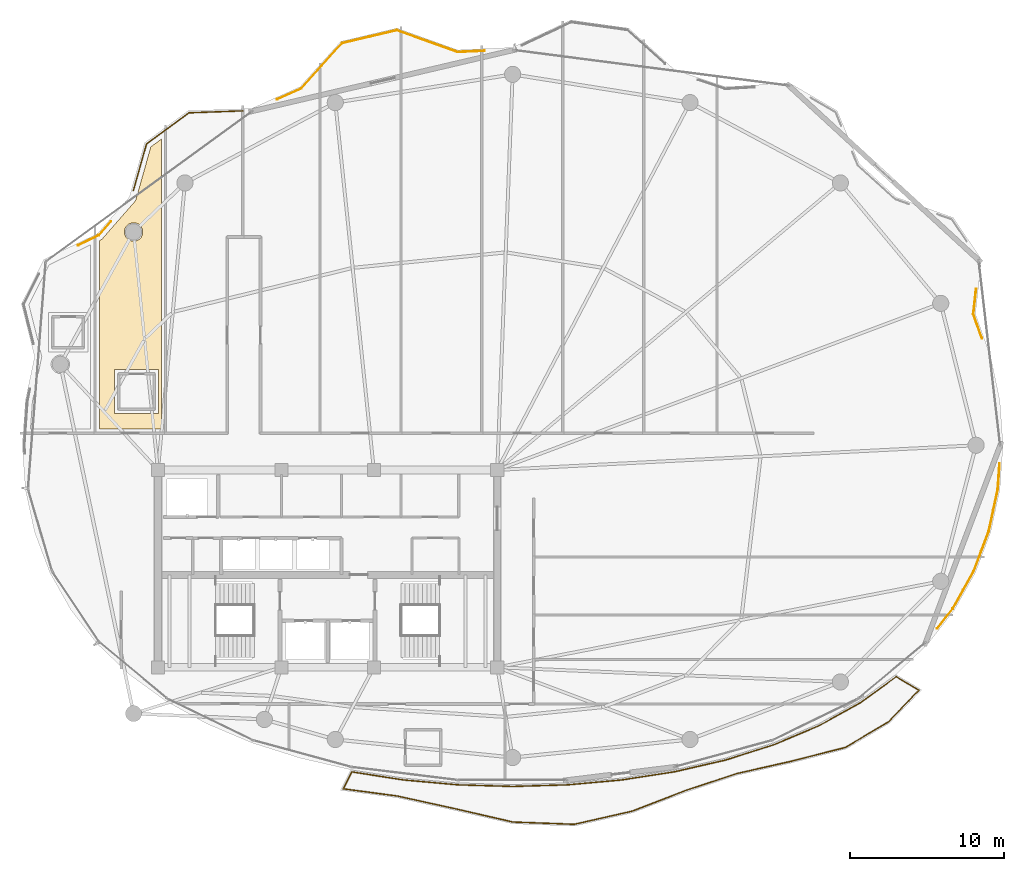
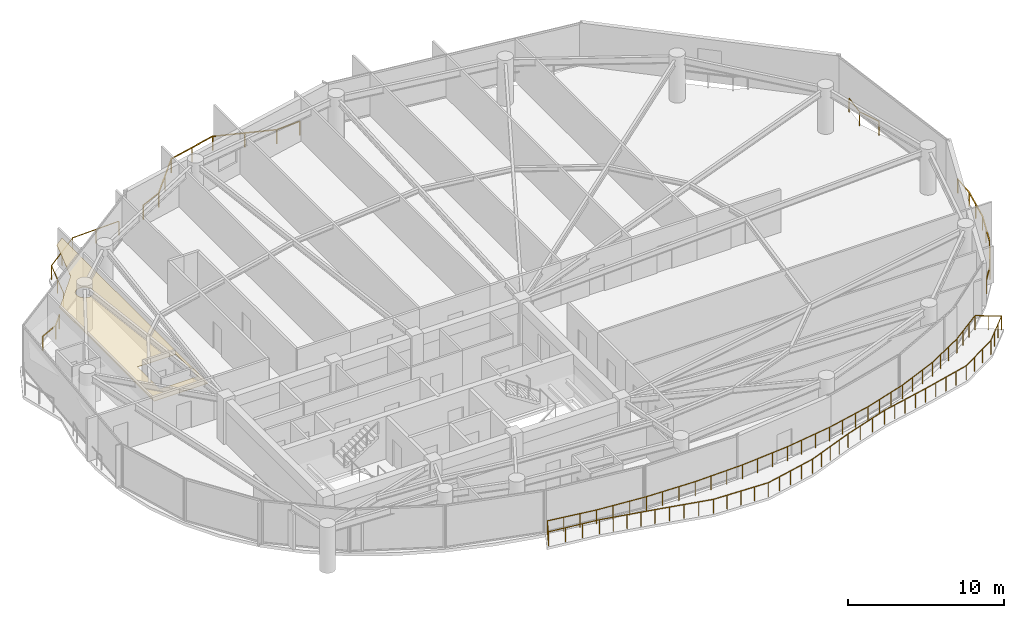
# One storey, part 30 of 31: 6 railings, 1 covering.
"""IFC4 building model written with IfcOpenShell, lengths in metres."""

from ifc_helpers import new_model, si_unit, direction, frame, origin, origin_2d, place, context, subcontext, project, spatial, polyline, rectangle, outline, extrude, material, layer, layer_set, type_object, element, save


model = new_model("IFC4")

# Units and contexts
model_context = context("Model", 3, precision=1e-05, world=origin(), true_north=direction((0.0, 1.0)))
body_context = subcontext(model_context, "Body", "Model", "MODEL_VIEW")
ifc_project = project(units=[si_unit("LENGTHUNIT", "METRE"), si_unit("AREAUNIT", "SQUARE_METRE"), si_unit("VOLUMEUNIT", "CUBIC_METRE"), si_unit("PLANEANGLEUNIT", "RADIAN"), si_unit("MASSUNIT", "GRAM", prefix="KILO")], contexts=[model_context])

# Site, building, storey
site_placement = place(None, origin())
site = spatial("IfcSite", under=ifc_project, at=site_placement, CompositionType="ELEMENT")
building_placement = place(site_placement, origin())
building = spatial("IfcBuilding", under=site, at=building_placement, Name="Kazevale Care Tower and Concert Hall", CompositionType="ELEMENT")
storey_placement = place(building_placement, frame((0.0, 0.0, 238.800048828125)))
storey = spatial("IfcBuildingStorey", under=building, at=storey_placement, Name="L63", CompositionType="ELEMENT", Elevation=238.800048828125)

# Covering
ifc_material_1 = material(Name="Acoustic Plaster and Hinoki Wood", Category="wood")
ifc_layer = layer(ifc_material_1, 0.0400390625)
ifc_layer_set = layer_set([ifc_layer], Name="Acoustic Plaster and Hinoki Wood")
covering_type = type_object("IfcCoveringType", Name="Acoustic Perforated Wood-Gypsum Ceiling", PredefinedType="CEILING", material=ifc_layer_set)
covering_placement = place(storey_placement, frame((0.0, 0.0, 2.7099609375)))
element("IfcCovering", 1, at=covering_placement, inside=storey, type_object=covering_type, Name="clg:L63:2", PredefinedType="CEILING", context=body_context, shape_type="SweptSolid", body=[
    extrude(outline(polyline([(22.219970703125, 39.054931640625), (18.199951171875, 39.054931640625), (18.199951171875, 51.27587890625), (18.35888671875, 51.35302734375), (20.552001953125, 53.861083984375), (21.534912109375, 57.344970703125), (22.219970703125, 57.84912109375), (22.219970703125, 39.054931640625)]), holes=[polyline([(19.18994140625, 42.905029296875), (19.18994140625, 40.044921875), (22.050048828125, 40.044921875), (22.050048828125, 42.905029296875), (19.18994140625, 42.905029296875)]), polyline([(21.012939453125, 51.947998046875), (20.923095703125, 52.166015625), (20.756103515625, 52.3330078125), (20.5380859375, 52.423095703125), (20.302001953125, 52.423095703125), (20.083984375, 52.3330078125), (19.9169921875, 52.166015625), (19.826904296875, 51.947998046875), (19.826904296875, 51.7119140625), (19.9169921875, 51.493896484375), (20.083984375, 51.326904296875), (20.302001953125, 51.237060546875), (20.5380859375, 51.237060546875), (20.756103515625, 51.326904296875), (20.923095703125, 51.493896484375), (21.012939453125, 51.7119140625), (21.012939453125, 51.947998046875)])]), origin(), (0.0, 0.0, 1.0), 0.0400390625),
])

# Railings
ifc_material_2 = material(Name="Anodised Bronze Aluminium and Laminated Glass", Category="aluminium")
railing_type = type_object("IfcRailingType", Name="Balcony and Terrace Balustrade 1120", PredefinedType="BALUSTRADE", material=ifc_material_2)
railing_1_placement = place(storey_placement, frame((16.83203125, 50.968994140625, 0.0)))
element("IfcRailing", 2, at=railing_1_placement, inside=storey, type_object=railing_type, Name="rail:L63:perim:3", PredefinedType="BALUSTRADE", context=body_context, shape_type="SweptSolid", body=[
    extrude(rectangle(XDim=0.048095703125, YDim=0.048095703125, at=origin_2d()), frame((0.0, 0.0, 1.09619140625), z_axis=(0.899880965399, 0.436135584553, 0.0), x_axis=(-0.436135584553, 0.899880965399, 0.0)), (0.0, 0.0, 1.0), 1.476806640625),
    extrude(rectangle(XDim=0.048095703125, YDim=0.048095703125, at=origin_2d()), frame((1.328857421875, 0.64404296875, 1.09619140625), z_axis=(0.658533673371, 0.752551261402, 0.0), x_axis=(-0.752551261402, 0.658533673371, 0.0)), (0.0, 0.0, 1.0), 1.189208984375),
    extrude(rectangle(XDim=0.0419921875, YDim=0.0419921875, at=origin_2d()), origin(), (0.0, 0.0, 1.0), 1.072021484375),
    extrude(rectangle(XDim=0.0419921875, YDim=0.0419921875, at=origin_2d()), frame((1.328857421875, 0.64404296875, 0.0)), (0.0, 0.0, 1.0), 1.072021484375),
    extrude(rectangle(XDim=0.0419921875, YDim=0.0419921875, at=origin_2d()), frame((2.112060546875, 1.5390625, 0.0)), (0.0, 0.0, 1.0), 1.072021484375),
])
railing_2_placement = place(storey_placement, frame((20.403076171875, 54.511962890625, 0.0)))
element("IfcRailing", 3, at=railing_2_placement, inside=storey, type_object=railing_type, Name="rail:L63:perim:4", PredefinedType="BALUSTRADE", context=body_context, shape_type="SweptSolid", body=[
    extrude(rectangle(XDim=0.048095703125, YDim=0.048095703125, at=origin_2d()), frame((0.0, 0.0, 1.09619140625), z_axis=(0.27160216444, 0.962409613559, 0.0), x_axis=(-0.962409613559, 0.27160216444, 0.0)), (0.0, 0.0, 1.0), 3.144287109375),
    extrude(rectangle(XDim=0.048095703125, YDim=0.048095703125, at=origin_2d()), frame((0.85400390625, 3.026123046875, 1.09619140625), z_axis=(0.805881115656, 0.592077382973, 0.0), x_axis=(-0.592077382973, 0.805881115656, 0.0)), (0.0, 0.0, 1.0), 3.40966796875),
    extrude(rectangle(XDim=0.048095703125, YDim=0.048095703125, at=origin_2d()), frame((3.601806640625, 5.044921875, 1.09619140625), z_axis=(0.999339175446, 0.036348485787, 0.0), x_axis=(-0.036348485787, 0.999339175446, 0.0)), (0.0, 0.0, 1.0), 3.499267578125),
    extrude(rectangle(XDim=0.0419921875, YDim=0.0419921875, at=origin_2d()), origin(), (0.0, 0.0, 1.0), 1.072021484375),
    extrude(rectangle(XDim=0.0419921875, YDim=0.0419921875, at=origin_2d()), frame((0.427001953125, 1.51318359375, 0.0)), (0.0, 0.0, 1.0), 1.072021484375),
    extrude(rectangle(XDim=0.0419921875, YDim=0.0419921875, at=origin_2d()), frame((0.85400390625, 3.026123046875, 0.0)), (0.0, 0.0, 1.0), 1.072021484375),
    extrude(rectangle(XDim=0.0419921875, YDim=0.0419921875, at=origin_2d()), frame((2.22802734375, 4.03564453125, 0.0)), (0.0, 0.0, 1.0), 1.072021484375),
    extrude(rectangle(XDim=0.0419921875, YDim=0.0419921875, at=origin_2d()), frame((3.601806640625, 5.044921875, 0.0)), (0.0, 0.0, 1.0), 1.072021484375),
    extrude(rectangle(XDim=0.0419921875, YDim=0.0419921875, at=origin_2d()), frame((5.350341796875, 5.1083984375, 0.0)), (0.0, 0.0, 1.0), 1.072021484375),
    extrude(rectangle(XDim=0.0419921875, YDim=0.0419921875, at=origin_2d()), frame((7.098876953125, 5.172119140625, 0.0)), (0.0, 0.0, 1.0), 1.072021484375),
])
railing_3_placement = place(storey_placement, frame((29.737060546875, 60.43505859375, 0.0)))
element("IfcRailing", 4, at=railing_3_placement, inside=storey, type_object=railing_type, Name="rail:L63:perim:5", PredefinedType="BALUSTRADE", context=body_context, shape_type="SweptSolid", body=[
    extrude(rectangle(XDim=0.048095703125, YDim=0.048095703125, at=origin_2d()), frame((0.0, 0.0, 1.09619140625), z_axis=(0.912729386392, 0.408564642641, 0.0), x_axis=(-0.408564642641, 0.912729386392, 0.0)), (0.0, 0.0, 1.0), 1.6982421875),
    extrude(rectangle(XDim=0.048095703125, YDim=0.048095703125, at=origin_2d()), frame((1.550048828125, 0.69384765625, 1.09619140625), z_axis=(0.668500240789, 0.743711925456, 0.0), x_axis=(-0.743711925456, 0.668500240789, 0.0)), (0.0, 0.0, 1.0), 3.950439453125),
    extrude(rectangle(XDim=0.048095703125, YDim=0.048095703125, at=origin_2d()), frame((4.19091796875, 3.6318359375, 1.09619140625), z_axis=(0.97312090779, 0.2302948085, 0.0), x_axis=(-0.2302948085, 0.97312090779, 0.0)), (0.0, 0.0, 1.0), 3.652099609375),
    extrude(rectangle(XDim=0.048095703125, YDim=0.048095703125, at=origin_2d()), frame((7.744873046875, 4.472900390625, 1.09619140625), z_axis=(0.941350252636, -0.337431032749, 0.0), x_axis=(0.337431032749, 0.941350252636, 0.0)), (0.0, 0.0, 1.0), 4.18115234375),
    extrude(rectangle(XDim=0.048095703125, YDim=0.048095703125, at=origin_2d()), frame((11.680908203125, 3.06201171875, 1.09619140625), z_axis=(0.998977358959, 0.045213231333, 0.0), x_axis=(-0.045213231333, 0.998977358959, 0.0)), (0.0, 0.0, 1.0), 1.765625),
    extrude(rectangle(XDim=0.0419921875, YDim=0.0419921875, at=origin_2d()), origin(), (0.0, 0.0, 1.0), 1.072021484375),
    extrude(rectangle(XDim=0.0419921875, YDim=0.0419921875, at=origin_2d()), frame((1.550048828125, 0.69384765625, 0.0)), (0.0, 0.0, 1.0), 1.072021484375),
    extrude(rectangle(XDim=0.0419921875, YDim=0.0419921875, at=origin_2d()), frame((2.87060546875, 2.162841796875, 0.0)), (0.0, 0.0, 1.0), 1.072021484375),
    extrude(rectangle(XDim=0.0419921875, YDim=0.0419921875, at=origin_2d()), frame((4.19091796875, 3.6318359375, 0.0)), (0.0, 0.0, 1.0), 1.072021484375),
    extrude(rectangle(XDim=0.0419921875, YDim=0.0419921875, at=origin_2d()), frame((5.9677734375, 4.05224609375, 0.0)), (0.0, 0.0, 1.0), 1.072021484375),
    extrude(rectangle(XDim=0.0419921875, YDim=0.0419921875, at=origin_2d()), frame((7.744873046875, 4.472900390625, 0.0)), (0.0, 0.0, 1.0), 1.072021484375),
    extrude(rectangle(XDim=0.0419921875, YDim=0.0419921875, at=origin_2d()), frame((9.712890625, 3.767578125, 0.0)), (0.0, 0.0, 1.0), 1.072021484375),
    extrude(rectangle(XDim=0.0419921875, YDim=0.0419921875, at=origin_2d()), frame((11.680908203125, 3.06201171875, 0.0)), (0.0, 0.0, 1.0), 1.072021484375),
    extrude(rectangle(XDim=0.0419921875, YDim=0.0419921875, at=origin_2d()), frame((13.44482421875, 3.141845703125, 0.0)), (0.0, 0.0, 1.0), 1.072021484375),
])
railing_4_placement = place(storey_placement, frame((76.576904296875, 36.81103515625, 0.0)))
element("IfcRailing", 5, at=railing_4_placement, inside=storey, type_object=railing_type, Name="rail:L63:perim:11", PredefinedType="BALUSTRADE", context=body_context, shape_type="SweptSolid", body=[
    extrude(rectangle(XDim=0.048095703125, YDim=0.048095703125, at=origin_2d()), frame((0.0, 0.0, 1.09619140625), z_axis=(-0.069683140934, -0.997569175481, 0.0), x_axis=(0.997569175481, -0.069683140934, 0.0)), (0.0, 0.0, 1.0), 1.664306640625),
    extrude(rectangle(XDim=0.048095703125, YDim=0.048095703125, at=origin_2d()), frame((-0.115966796875, -1.66015625, 1.09619140625), z_axis=(-0.210886672564, -0.97751051725, 0.0), x_axis=(0.97751051725, -0.210886672564, 0.0)), (0.0, 0.0, 1.0), 2.81201171875),
    extrude(rectangle(XDim=0.048095703125, YDim=0.048095703125, at=origin_2d()), frame((-0.708984375, -4.408935546875, 1.09619140625), z_axis=(-0.352914941795, -0.935655408715, 0.0), x_axis=(0.935655408715, -0.352914941795, 0.0)), (0.0, 0.0, 1.0), 2.77685546875),
    extrude(rectangle(XDim=0.048095703125, YDim=0.048095703125, at=origin_2d()), frame((-1.68896484375, -7.007080078125, 1.09619140625), z_axis=(-0.490131162051, -0.871648692987, 0.0), x_axis=(0.871648692987, -0.490131162051, 0.0)), (0.0, 0.0, 1.0), 2.762451171875),
    extrude(rectangle(XDim=0.048095703125, YDim=0.048095703125, at=origin_2d()), frame((-3.04296875, -9.4150390625, 1.09619140625), z_axis=(-0.615507243123, -0.788131228707, 0.0), x_axis=(0.788131228707, -0.615507243123, 0.0)), (0.0, 0.0, 1.0), 1.6279296875),
    extrude(rectangle(XDim=0.0419921875, YDim=0.0419921875, at=origin_2d()), origin(), (0.0, 0.0, 1.0), 1.072021484375),
    extrude(rectangle(XDim=0.0419921875, YDim=0.0419921875, at=origin_2d()), frame((-0.115966796875, -1.66015625, 0.0)), (0.0, 0.0, 1.0), 1.072021484375),
    extrude(rectangle(XDim=0.0419921875, YDim=0.0419921875, at=origin_2d()), frame((-0.41259765625, -3.03466796875, 0.0)), (0.0, 0.0, 1.0), 1.072021484375),
    extrude(rectangle(XDim=0.0419921875, YDim=0.0419921875, at=origin_2d()), frame((-0.708984375, -4.408935546875, 0.0)), (0.0, 0.0, 1.0), 1.072021484375),
    extrude(rectangle(XDim=0.0419921875, YDim=0.0419921875, at=origin_2d()), frame((-1.198974609375, -5.7080078125, 0.0)), (0.0, 0.0, 1.0), 1.072021484375),
    extrude(rectangle(XDim=0.0419921875, YDim=0.0419921875, at=origin_2d()), frame((-1.68896484375, -7.007080078125, 0.0)), (0.0, 0.0, 1.0), 1.072021484375),
    extrude(rectangle(XDim=0.0419921875, YDim=0.0419921875, at=origin_2d()), frame((-2.365966796875, -8.2109375, 0.0)), (0.0, 0.0, 1.0), 1.072021484375),
    extrude(rectangle(XDim=0.0419921875, YDim=0.0419921875, at=origin_2d()), frame((-3.04296875, -9.4150390625, 0.0)), (0.0, 0.0, 1.0), 1.072021484375),
    extrude(rectangle(XDim=0.0419921875, YDim=0.0419921875, at=origin_2d()), frame((-4.044921875, -10.697998046875, 0.0)), (0.0, 0.0, 1.0), 1.072021484375),
])
railing_5_placement = place(storey_placement, frame((75.054931640625, 48.138916015625, 0.0)))
element("IfcRailing", 6, at=railing_5_placement, inside=storey, type_object=railing_type, Name="rail:L63:perim:12", PredefinedType="BALUSTRADE", context=body_context, shape_type="SweptSolid", body=[
    extrude(rectangle(XDim=0.048095703125, YDim=0.048095703125, at=origin_2d()), frame((0.0, 0.0, 1.09619140625), z_axis=(-0.110627099756, -0.993861984784, 0.0), x_axis=(0.993861984784, -0.110627099756, 0.0)), (0.0, 0.0, 1.0), 1.64404296875),
    extrude(rectangle(XDim=0.048095703125, YDim=0.048095703125, at=origin_2d()), frame((-0.181884765625, -1.634033203125, 1.09619140625), z_axis=(0.334582750454, -0.942366374134, 0.0), x_axis=(0.942366374134, 0.334582750454, 0.0)), (0.0, 0.0, 1.0), 1.65869140625),
    extrude(rectangle(XDim=0.0419921875, YDim=0.0419921875, at=origin_2d()), origin(), (0.0, 0.0, 1.0), 1.072021484375),
    extrude(rectangle(XDim=0.0419921875, YDim=0.0419921875, at=origin_2d()), frame((-0.181884765625, -1.634033203125, 0.0)), (0.0, 0.0, 1.0), 1.072021484375),
    extrude(rectangle(XDim=0.0419921875, YDim=0.0419921875, at=origin_2d()), frame((0.373046875, -3.197021484375, 0.0)), (0.0, 0.0, 1.0), 1.072021484375),
])
railing_6_placement = place(storey_placement, frame((34.56298828125, 16.819091796875, 0.0)))
element("IfcRailing", 7, at=railing_6_placement, inside=storey, type_object=railing_type, Name="rail:L63:balcony", PredefinedType="BALUSTRADE", context=body_context, shape_type="SweptSolid", body=[
    extrude(rectangle(XDim=0.048095703125, YDim=0.048095703125, at=origin_2d()), frame((0.0, 0.0, 1.09619140625), z_axis=(0.988093340761, -0.15385561395, 0.0), x_axis=(0.15385561395, 0.988093340761, 0.0)), (0.0, 0.0, 1.0), 3.38623046875),
    extrude(rectangle(XDim=0.048095703125, YDim=0.048095703125, at=origin_2d()), frame((3.345947265625, -0.52099609375, 1.09619140625), z_axis=(0.995947899496, -0.089932093766, 0.0), x_axis=(0.089932093766, 0.995947899496, 0.0)), (0.0, 0.0, 1.0), 3.537353515625),
    extrude(rectangle(XDim=0.048095703125, YDim=0.048095703125, at=origin_2d()), frame((6.868896484375, -0.839111328125, 1.09619140625), z_axis=(0.999567458851, -0.029409100739, 0.0), x_axis=(0.029409100739, 0.999567458851, 0.0)), (0.0, 0.0, 1.0), 3.569580078125),
    extrude(rectangle(XDim=0.048095703125, YDim=0.048095703125, at=origin_2d()), frame((10.43701171875, -0.944091796875, 1.09619140625), z_axis=(0.999567458851, 0.029409100739, 0.0), x_axis=(-0.029409100739, 0.999567458851, 0.0)), (0.0, 0.0, 1.0), 3.569580078125),
    extrude(rectangle(XDim=0.048095703125, YDim=0.048095703125, at=origin_2d()), frame((14.005126953125, -0.839111328125, 1.09619140625), z_axis=(0.995947899496, 0.089932093766, 0.0), x_axis=(-0.089932093766, 0.995947899496, 0.0)), (0.0, 0.0, 1.0), 3.537353515625),
    extrude(rectangle(XDim=0.048095703125, YDim=0.048095703125, at=origin_2d()), frame((17.528076171875, -0.52099609375, 1.09619140625), z_axis=(0.988098216207, 0.153824299539, 0.0), x_axis=(-0.153824299539, 0.988098216207, 0.0)), (0.0, 0.0, 1.0), 3.4775390625),
    extrude(rectangle(XDim=0.048095703125, YDim=0.048095703125, at=origin_2d()), frame((20.964111328125, 0.013916015625, 1.09619140625), z_axis=(0.974534254558, 0.224238682418, 0.0), x_axis=(-0.224238682418, 0.974534254558, 0.0)), (0.0, 0.0, 1.0), 3.389404296875),
    extrude(rectangle(XDim=0.048095703125, YDim=0.048095703125, at=origin_2d()), frame((24.26708984375, 0.77392578125, 1.09619140625), z_axis=(0.953239514235, 0.302215864078, 0.0), x_axis=(-0.302215864078, 0.953239514235, 0.0)), (0.0, 0.0, 1.0), 3.285400390625),
    extrude(rectangle(XDim=0.048095703125, YDim=0.048095703125, at=origin_2d()), frame((27.39892578125, 1.766845703125, 1.09619140625), z_axis=(0.921006567992, 0.389547046858, 0.0), x_axis=(-0.389547046858, 0.921006567992, 0.0)), (0.0, 0.0, 1.0), 3.170654296875),
    extrude(rectangle(XDim=0.048095703125, YDim=0.048095703125, at=origin_2d()), frame((30.319091796875, 3.001953125, 1.09619140625), z_axis=(0.874149737903, 0.485656499724, 0.0), x_axis=(-0.485656499724, 0.874149737903, 0.0)), (0.0, 0.0, 1.0), 3.055419921875),
    extrude(rectangle(XDim=0.048095703125, YDim=0.048095703125, at=origin_2d()), frame((32.989990234375, 4.48583984375, 1.09619140625), z_axis=(0.809111467971, 0.587655198562, 0.0), x_axis=(-0.587655198562, 0.809111467971, 0.0)), (0.0, 0.0, 1.0), 2.867431640625),
    extrude(rectangle(XDim=0.048095703125, YDim=0.048095703125, at=origin_2d()), frame((35.31005859375, 6.1708984375, 1.09619140625), z_axis=(0.85858418894, -0.512672595818, 0.0), x_axis=(0.512672595818, 0.85858418894, 0.0)), (0.0, 0.0, 1.0), 1.71435546875),
    extrude(rectangle(XDim=0.048095703125, YDim=0.048095703125, at=origin_2d()), frame((36.781982421875, 5.2919921875, 1.09619140625), z_axis=(-0.695569922239, -0.718458407479, 0.0), x_axis=(0.718458407479, -0.695569922239, 0.0)), (0.0, 0.0, 1.0), 2.847900390625),
    extrude(rectangle(XDim=0.048095703125, YDim=0.048095703125, at=origin_2d()), frame((34.801025390625, 3.245849609375, 1.09619140625), z_axis=(-0.859486704174, -0.511158102106, 0.0), x_axis=(0.511158102106, -0.859486704174, 0.0)), (0.0, 0.0, 1.0), 3.24169921875),
    extrude(rectangle(XDim=0.048095703125, YDim=0.048095703125, at=origin_2d()), frame((32.014892578125, 1.5888671875, 1.09619140625), z_axis=(-0.968865461963, -0.247587795772, 0.0), x_axis=(0.247587795772, -0.968865461963, 0.0)), (0.0, 0.0, 1.0), 3.6474609375),
    extrude(rectangle(XDim=0.048095703125, YDim=0.048095703125, at=origin_2d()), frame((28.48095703125, 0.685791015625, 1.09619140625), z_axis=(-0.975393580974, -0.220470774013, 0.0), x_axis=(0.220470774013, -0.975393580974, 0.0)), (0.0, 0.0, 1.0), 3.60546875),
    extrude(rectangle(XDim=0.048095703125, YDim=0.048095703125, at=origin_2d()), frame((24.964111328125, -0.109130859375, 1.09619140625), z_axis=(-0.949113452756, -0.314934364268, 0.0), x_axis=(0.314934364268, -0.949113452756, 0.0)), (0.0, 0.0, 1.0), 3.51171875),
    extrude(rectangle(XDim=0.048095703125, YDim=0.048095703125, at=origin_2d()), frame((21.631103515625, -1.215087890625, 1.09619140625), z_axis=(-0.932492019345, -0.361190578308, 0.0), x_axis=(0.361190578308, -0.932492019345, 0.0)), (0.0, 0.0, 1.0), 3.66015625),
    extrude(rectangle(XDim=0.048095703125, YDim=0.048095703125, at=origin_2d()), frame((18.218017578125, -2.537109375, 1.09619140625), z_axis=(-0.974917543519, -0.222566357158, 0.0), x_axis=(0.222566357158, -0.974917543519, 0.0)), (0.0, 0.0, 1.0), 3.873291015625),
    extrude(rectangle(XDim=0.048095703125, YDim=0.048095703125, at=origin_2d()), frame((14.44189453125, -3.399169921875, 1.09619140625), z_axis=(-0.999310553949, 0.037127035515, 0.0), x_axis=(-0.037127035515, -0.999310553949, 0.0)), (0.0, 0.0, 1.0), 3.991455078125),
    extrude(rectangle(XDim=0.048095703125, YDim=0.048095703125, at=origin_2d()), frame((10.453125, -3.2509765625, 1.09619140625), z_axis=(-0.974552884513, 0.224157701825, 0.0), x_axis=(-0.224157701825, -0.974552884513, 0.0)), (0.0, 0.0, 1.0), 3.9384765625),
    extrude(rectangle(XDim=0.048095703125, YDim=0.048095703125, at=origin_2d()), frame((6.614990234375, -2.3681640625, 1.09619140625), z_axis=(-0.976652953385, 0.214823203226, 0.0), x_axis=(-0.214823203226, -0.976652953385, 0.0)), (0.0, 0.0, 1.0), 3.742431640625),
    extrude(rectangle(XDim=0.048095703125, YDim=0.048095703125, at=origin_2d()), frame((2.9599609375, -1.564208984375, 1.09619140625), z_axis=(-0.991325840674, 0.131427080972, 0.0), x_axis=(-0.131427080972, -0.991325840674, 0.0)), (0.0, 0.0, 1.0), 3.538818359375),
    extrude(rectangle(XDim=0.048095703125, YDim=0.048095703125, at=origin_2d()), frame((-0.548095703125, -1.09912109375, 1.09619140625), z_axis=(0.4462592011, 0.89490375205, 0.0), x_axis=(-0.89490375205, 0.4462592011, 0.0)), (0.0, 0.0, 1.0), 1.228271484375),
    extrude(rectangle(XDim=0.0419921875, YDim=0.0419921875, at=origin_2d()), origin(), (0.0, 0.0, 1.0), 1.072021484375),
    extrude(rectangle(XDim=0.0419921875, YDim=0.0419921875, at=origin_2d()), frame((1.115234375, -0.173583984375, 0.0)), (0.0, 0.0, 1.0), 1.072021484375),
    extrude(rectangle(XDim=0.0419921875, YDim=0.0419921875, at=origin_2d()), frame((2.230712890625, -0.347412109375, 0.0)), (0.0, 0.0, 1.0), 1.072021484375),
    extrude(rectangle(XDim=0.0419921875, YDim=0.0419921875, at=origin_2d()), frame((3.345947265625, -0.52099609375, 0.0)), (0.0, 0.0, 1.0), 1.072021484375),
    extrude(rectangle(XDim=0.0419921875, YDim=0.0419921875, at=origin_2d()), frame((4.520263671875, -0.626953125, 0.0)), (0.0, 0.0, 1.0), 1.072021484375),
    extrude(rectangle(XDim=0.0419921875, YDim=0.0419921875, at=origin_2d()), frame((5.694580078125, -0.733154296875, 0.0)), (0.0, 0.0, 1.0), 1.072021484375),
    extrude(rectangle(XDim=0.0419921875, YDim=0.0419921875, at=origin_2d()), frame((6.868896484375, -0.839111328125, 0.0)), (0.0, 0.0, 1.0), 1.072021484375),
    extrude(rectangle(XDim=0.0419921875, YDim=0.0419921875, at=origin_2d()), frame((8.058349609375, -0.8740234375, 0.0)), (0.0, 0.0, 1.0), 1.072021484375),
    extrude(rectangle(XDim=0.0419921875, YDim=0.0419921875, at=origin_2d()), frame((9.24755859375, -0.9091796875, 0.0)), (0.0, 0.0, 1.0), 1.072021484375),
    extrude(rectangle(XDim=0.0419921875, YDim=0.0419921875, at=origin_2d()), frame((10.43701171875, -0.944091796875, 0.0)), (0.0, 0.0, 1.0), 1.072021484375),
    extrude(rectangle(XDim=0.0419921875, YDim=0.0419921875, at=origin_2d()), frame((11.62646484375, -0.9091796875, 0.0)), (0.0, 0.0, 1.0), 1.072021484375),
    extrude(rectangle(XDim=0.0419921875, YDim=0.0419921875, at=origin_2d()), frame((12.815673828125, -0.8740234375, 0.0)), (0.0, 0.0, 1.0), 1.072021484375),
    extrude(rectangle(XDim=0.0419921875, YDim=0.0419921875, at=origin_2d()), frame((14.005126953125, -0.839111328125, 0.0)), (0.0, 0.0, 1.0), 1.072021484375),
    extrude(rectangle(XDim=0.0419921875, YDim=0.0419921875, at=origin_2d()), frame((15.179443359375, -0.733154296875, 0.0)), (0.0, 0.0, 1.0), 1.072021484375),
    extrude(rectangle(XDim=0.0419921875, YDim=0.0419921875, at=origin_2d()), frame((16.353759765625, -0.626953125, 0.0)), (0.0, 0.0, 1.0), 1.072021484375),
    extrude(rectangle(XDim=0.0419921875, YDim=0.0419921875, at=origin_2d()), frame((17.528076171875, -0.52099609375, 0.0)), (0.0, 0.0, 1.0), 1.072021484375),
    extrude(rectangle(XDim=0.0419921875, YDim=0.0419921875, at=origin_2d()), frame((18.67333984375, -0.3427734375, 0.0)), (0.0, 0.0, 1.0), 1.072021484375),
    extrude(rectangle(XDim=0.0419921875, YDim=0.0419921875, at=origin_2d()), frame((19.81884765625, -0.164306640625, 0.0)), (0.0, 0.0, 1.0), 1.072021484375),
    extrude(rectangle(XDim=0.0419921875, YDim=0.0419921875, at=origin_2d()), frame((20.964111328125, 0.013916015625, 0.0)), (0.0, 0.0, 1.0), 1.072021484375),
    extrude(rectangle(XDim=0.0419921875, YDim=0.0419921875, at=origin_2d()), frame((22.065185546875, 0.267333984375, 0.0)), (0.0, 0.0, 1.0), 1.072021484375),
    extrude(rectangle(XDim=0.0419921875, YDim=0.0419921875, at=origin_2d()), frame((23.166015625, 0.5205078125, 0.0)), (0.0, 0.0, 1.0), 1.072021484375),
    extrude(rectangle(XDim=0.0419921875, YDim=0.0419921875, at=origin_2d()), frame((24.26708984375, 0.77392578125, 0.0)), (0.0, 0.0, 1.0), 1.072021484375),
    extrude(rectangle(XDim=0.0419921875, YDim=0.0419921875, at=origin_2d()), frame((25.31103515625, 1.10498046875, 0.0)), (0.0, 0.0, 1.0), 1.072021484375),
    extrude(rectangle(XDim=0.0419921875, YDim=0.0419921875, at=origin_2d()), frame((26.35498046875, 1.435791015625, 0.0)), (0.0, 0.0, 1.0), 1.072021484375),
    extrude(rectangle(XDim=0.0419921875, YDim=0.0419921875, at=origin_2d()), frame((27.39892578125, 1.766845703125, 0.0)), (0.0, 0.0, 1.0), 1.072021484375),
    extrude(rectangle(XDim=0.0419921875, YDim=0.0419921875, at=origin_2d()), frame((28.372314453125, 2.178466796875, 0.0)), (0.0, 0.0, 1.0), 1.072021484375),
    extrude(rectangle(XDim=0.0419921875, YDim=0.0419921875, at=origin_2d()), frame((29.345703125, 2.59033203125, 0.0)), (0.0, 0.0, 1.0), 1.072021484375),
    extrude(rectangle(XDim=0.0419921875, YDim=0.0419921875, at=origin_2d()), frame((30.319091796875, 3.001953125, 0.0)), (0.0, 0.0, 1.0), 1.072021484375),
    extrude(rectangle(XDim=0.0419921875, YDim=0.0419921875, at=origin_2d()), frame((31.20947265625, 3.49658203125, 0.0)), (0.0, 0.0, 1.0), 1.072021484375),
    extrude(rectangle(XDim=0.0419921875, YDim=0.0419921875, at=origin_2d()), frame((32.099609375, 3.9912109375, 0.0)), (0.0, 0.0, 1.0), 1.072021484375),
    extrude(rectangle(XDim=0.0419921875, YDim=0.0419921875, at=origin_2d()), frame((32.989990234375, 4.48583984375, 0.0)), (0.0, 0.0, 1.0), 1.072021484375),
    extrude(rectangle(XDim=0.0419921875, YDim=0.0419921875, at=origin_2d()), frame((33.763427734375, 5.047607421875, 0.0)), (0.0, 0.0, 1.0), 1.072021484375),
    extrude(rectangle(XDim=0.0419921875, YDim=0.0419921875, at=origin_2d()), frame((34.53662109375, 5.609130859375, 0.0)), (0.0, 0.0, 1.0), 1.072021484375),
    extrude(rectangle(XDim=0.0419921875, YDim=0.0419921875, at=origin_2d()), frame((35.31005859375, 6.1708984375, 0.0)), (0.0, 0.0, 1.0), 1.072021484375),
    extrude(rectangle(XDim=0.0419921875, YDim=0.0419921875, at=origin_2d()), frame((36.0458984375, 5.7314453125, 0.0)), (0.0, 0.0, 1.0), 1.072021484375),
    extrude(rectangle(XDim=0.0419921875, YDim=0.0419921875, at=origin_2d()), frame((36.781982421875, 5.2919921875, 0.0)), (0.0, 0.0, 1.0), 1.072021484375),
    extrude(rectangle(XDim=0.0419921875, YDim=0.0419921875, at=origin_2d()), frame((36.12158203125, 4.60986328125, 0.0)), (0.0, 0.0, 1.0), 1.072021484375),
    extrude(rectangle(XDim=0.0419921875, YDim=0.0419921875, at=origin_2d()), frame((35.46142578125, 3.927978515625, 0.0)), (0.0, 0.0, 1.0), 1.072021484375),
    extrude(rectangle(XDim=0.0419921875, YDim=0.0419921875, at=origin_2d()), frame((34.801025390625, 3.245849609375, 0.0)), (0.0, 0.0, 1.0), 1.072021484375),
    extrude(rectangle(XDim=0.0419921875, YDim=0.0419921875, at=origin_2d()), frame((33.872314453125, 2.693603515625, 0.0)), (0.0, 0.0, 1.0), 1.072021484375),
    extrude(rectangle(XDim=0.0419921875, YDim=0.0419921875, at=origin_2d()), frame((32.943603515625, 2.14111328125, 0.0)), (0.0, 0.0, 1.0), 1.072021484375),
    extrude(rectangle(XDim=0.0419921875, YDim=0.0419921875, at=origin_2d()), frame((32.014892578125, 1.5888671875, 0.0)), (0.0, 0.0, 1.0), 1.072021484375),
    extrude(rectangle(XDim=0.0419921875, YDim=0.0419921875, at=origin_2d()), frame((31.13134765625, 1.363037109375, 0.0)), (0.0, 0.0, 1.0), 1.072021484375),
    extrude(rectangle(XDim=0.0419921875, YDim=0.0419921875, at=origin_2d()), frame((30.248046875, 1.13720703125, 0.0)), (0.0, 0.0, 1.0), 1.072021484375),
    extrude(rectangle(XDim=0.0419921875, YDim=0.0419921875, at=origin_2d()), frame((29.364501953125, 0.91162109375, 0.0)), (0.0, 0.0, 1.0), 1.072021484375),
    extrude(rectangle(XDim=0.0419921875, YDim=0.0419921875, at=origin_2d()), frame((28.48095703125, 0.685791015625, 0.0)), (0.0, 0.0, 1.0), 1.072021484375),
    extrude(rectangle(XDim=0.0419921875, YDim=0.0419921875, at=origin_2d()), frame((27.601806640625, 0.487060546875, 0.0)), (0.0, 0.0, 1.0), 1.072021484375),
    extrude(rectangle(XDim=0.0419921875, YDim=0.0419921875, at=origin_2d()), frame((26.72265625, 0.288330078125, 0.0)), (0.0, 0.0, 1.0), 1.072021484375),
    extrude(rectangle(XDim=0.0419921875, YDim=0.0419921875, at=origin_2d()), frame((25.84326171875, 0.089599609375, 0.0)), (0.0, 0.0, 1.0), 1.072021484375),
    extrude(rectangle(XDim=0.0419921875, YDim=0.0419921875, at=origin_2d()), frame((24.964111328125, -0.109130859375, 0.0)), (0.0, 0.0, 1.0), 1.072021484375),
    extrude(rectangle(XDim=0.0419921875, YDim=0.0419921875, at=origin_2d()), frame((23.85302734375, -0.477783203125, 0.0)), (0.0, 0.0, 1.0), 1.072021484375),
    extrude(rectangle(XDim=0.0419921875, YDim=0.0419921875, at=origin_2d()), frame((22.7421875, -0.846435546875, 0.0)), (0.0, 0.0, 1.0), 1.072021484375),
    extrude(rectangle(XDim=0.0419921875, YDim=0.0419921875, at=origin_2d()), frame((21.631103515625, -1.215087890625, 0.0)), (0.0, 0.0, 1.0), 1.072021484375),
    extrude(rectangle(XDim=0.0419921875, YDim=0.0419921875, at=origin_2d()), frame((20.77783203125, -1.545654296875, 0.0)), (0.0, 0.0, 1.0), 1.072021484375),
    extrude(rectangle(XDim=0.0419921875, YDim=0.0419921875, at=origin_2d()), frame((19.924560546875, -1.8759765625, 0.0)), (0.0, 0.0, 1.0), 1.072021484375),
    extrude(rectangle(XDim=0.0419921875, YDim=0.0419921875, at=origin_2d()), frame((19.0712890625, -2.20654296875, 0.0)), (0.0, 0.0, 1.0), 1.072021484375),
    extrude(rectangle(XDim=0.0419921875, YDim=0.0419921875, at=origin_2d()), frame((18.218017578125, -2.537109375, 0.0)), (0.0, 0.0, 1.0), 1.072021484375),
    extrude(rectangle(XDim=0.0419921875, YDim=0.0419921875, at=origin_2d()), frame((17.27392578125, -2.752685546875, 0.0)), (0.0, 0.0, 1.0), 1.072021484375),
    extrude(rectangle(XDim=0.0419921875, YDim=0.0419921875, at=origin_2d()), frame((16.330078125, -2.96826171875, 0.0)), (0.0, 0.0, 1.0), 1.072021484375),
    extrude(rectangle(XDim=0.0419921875, YDim=0.0419921875, at=origin_2d()), frame((15.385986328125, -3.18359375, 0.0)), (0.0, 0.0, 1.0), 1.072021484375),
    extrude(rectangle(XDim=0.0419921875, YDim=0.0419921875, at=origin_2d()), frame((14.44189453125, -3.399169921875, 0.0)), (0.0, 0.0, 1.0), 1.072021484375),
    extrude(rectangle(XDim=0.0419921875, YDim=0.0419921875, at=origin_2d()), frame((13.44482421875, -3.362060546875, 0.0)), (0.0, 0.0, 1.0), 1.072021484375),
    extrude(rectangle(XDim=0.0419921875, YDim=0.0419921875, at=origin_2d()), frame((12.447509765625, -3.3251953125, 0.0)), (0.0, 0.0, 1.0), 1.072021484375),
    extrude(rectangle(XDim=0.0419921875, YDim=0.0419921875, at=origin_2d()), frame((11.4501953125, -3.2880859375, 0.0)), (0.0, 0.0, 1.0), 1.072021484375),
    extrude(rectangle(XDim=0.0419921875, YDim=0.0419921875, at=origin_2d()), frame((10.453125, -3.2509765625, 0.0)), (0.0, 0.0, 1.0), 1.072021484375),
    extrude(rectangle(XDim=0.0419921875, YDim=0.0419921875, at=origin_2d()), frame((9.49365234375, -3.0302734375, 0.0)), (0.0, 0.0, 1.0), 1.072021484375),
    extrude(rectangle(XDim=0.0419921875, YDim=0.0419921875, at=origin_2d()), frame((8.5341796875, -2.8095703125, 0.0)), (0.0, 0.0, 1.0), 1.072021484375),
    extrude(rectangle(XDim=0.0419921875, YDim=0.0419921875, at=origin_2d()), frame((7.574462890625, -2.5888671875, 0.0)), (0.0, 0.0, 1.0), 1.072021484375),
    extrude(rectangle(XDim=0.0419921875, YDim=0.0419921875, at=origin_2d()), frame((6.614990234375, -2.3681640625, 0.0)), (0.0, 0.0, 1.0), 1.072021484375),
    extrude(rectangle(XDim=0.0419921875, YDim=0.0419921875, at=origin_2d()), frame((5.701171875, -2.167236328125, 0.0)), (0.0, 0.0, 1.0), 1.072021484375),
    extrude(rectangle(XDim=0.0419921875, YDim=0.0419921875, at=origin_2d()), frame((4.78759765625, -1.96630859375, 0.0)), (0.0, 0.0, 1.0), 1.072021484375),
    extrude(rectangle(XDim=0.0419921875, YDim=0.0419921875, at=origin_2d()), frame((3.873779296875, -1.76513671875, 0.0)), (0.0, 0.0, 1.0), 1.072021484375),
    extrude(rectangle(XDim=0.0419921875, YDim=0.0419921875, at=origin_2d()), frame((2.9599609375, -1.564208984375, 0.0)), (0.0, 0.0, 1.0), 1.072021484375),
    extrude(rectangle(XDim=0.0419921875, YDim=0.0419921875, at=origin_2d()), frame((1.79052734375, -1.4091796875, 0.0)), (0.0, 0.0, 1.0), 1.072021484375),
    extrude(rectangle(XDim=0.0419921875, YDim=0.0419921875, at=origin_2d()), frame((0.621337890625, -1.254150390625, 0.0)), (0.0, 0.0, 1.0), 1.072021484375),
    extrude(rectangle(XDim=0.0419921875, YDim=0.0419921875, at=origin_2d()), frame((-0.548095703125, -1.09912109375, 0.0)), (0.0, 0.0, 1.0), 1.072021484375),
    extrude(rectangle(XDim=0.0419921875, YDim=0.0419921875, at=origin_2d()), frame((-0.27392578125, -0.549560546875, 0.0)), (0.0, 0.0, 1.0), 1.072021484375),
])

save(model, "model.ifc")
